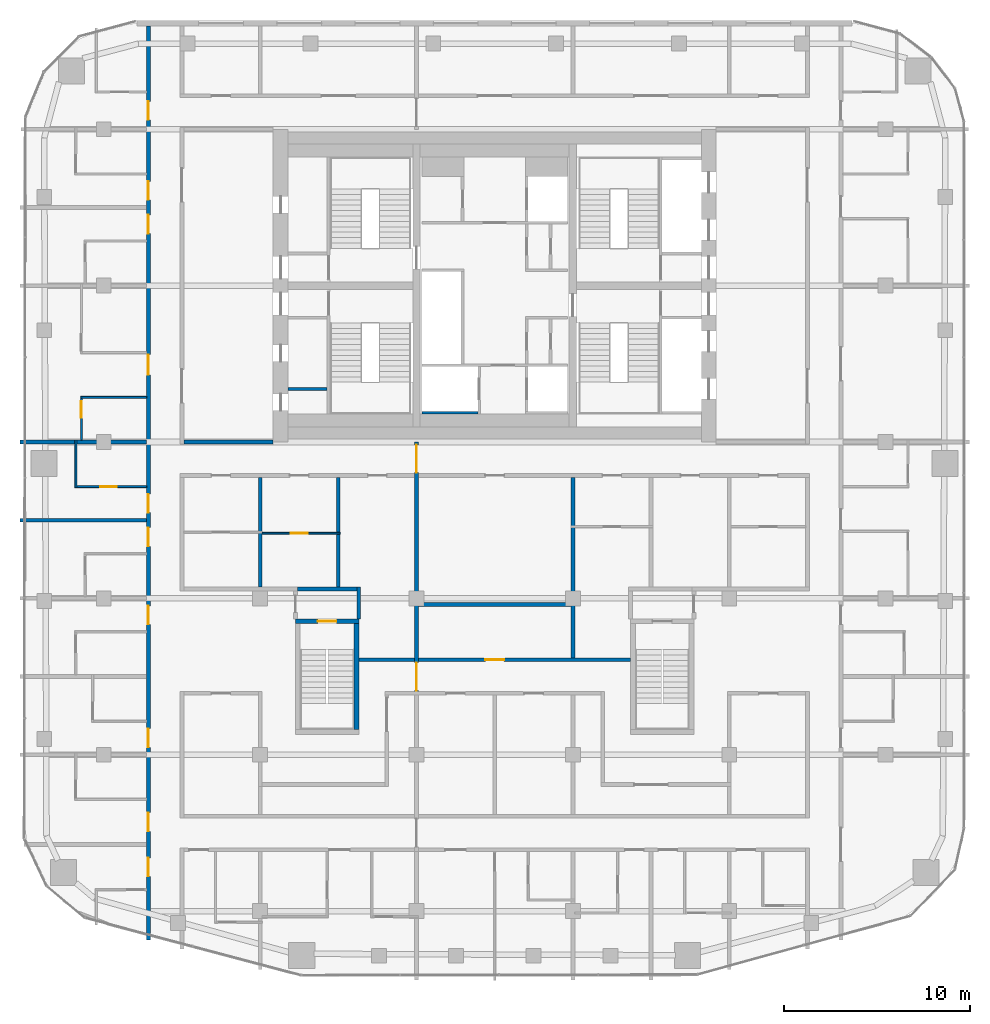
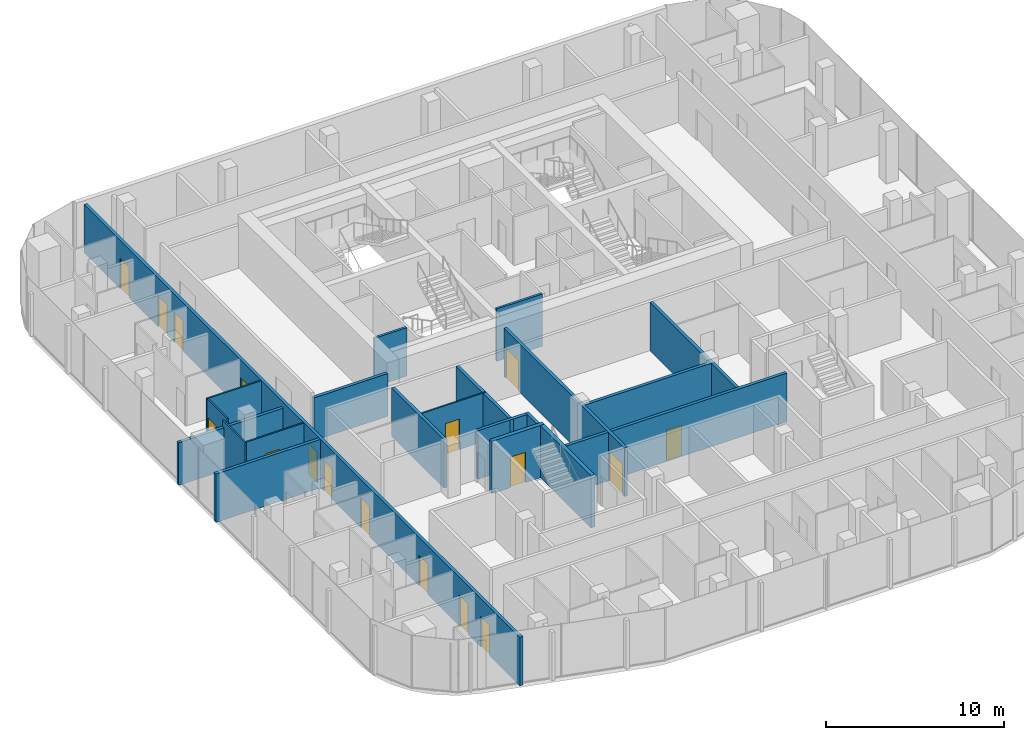
# One storey, part 15 of 22: 21 walls, 17 doors, 17 openings.
"""IFC4 building model written with IfcOpenShell, lengths in metres."""

from ifc_helpers import new_model, si_unit, direction, frame, frame_2d, origin, place, context, subcontext, project, spatial, rectangle, extrude, material, layer, layer_set, type_object, element, fill, save


model = new_model("IFC4")

# Units and contexts
model_context = context("Model", 3, precision=1e-05, world=origin(), true_north=direction((0.0, 1.0)))
body_context = subcontext(model_context, "Body", "Model", "MODEL_VIEW")
ifc_project = project(units=[si_unit("LENGTHUNIT", "METRE"), si_unit("AREAUNIT", "SQUARE_METRE"), si_unit("VOLUMEUNIT", "CUBIC_METRE"), si_unit("PLANEANGLEUNIT", "RADIAN"), si_unit("MASSUNIT", "GRAM", prefix="KILO")], contexts=[model_context])

# Site, building, storey
site_placement = place(None, origin())
site = spatial("IfcSite", under=ifc_project, at=site_placement, CompositionType="ELEMENT")
building_placement = place(site_placement, origin())
building = spatial("IfcBuilding", under=site, at=building_placement, Name="Marenta Gate Hotel Tower", CompositionType="ELEMENT")
storey_placement = place(building_placement, frame((0.0, 0.0, 223.699951171875)))
storey = spatial("IfcBuildingStorey", under=building, at=storey_placement, Name="L52", CompositionType="ELEMENT", Elevation=223.699951171875)

# Wall, openings, doors
ifc_material_1 = material(Name="Concrete blockwork", Category="masonry")
ifc_layer_1 = layer(ifc_material_1, 0.199951171875)
ifc_layer_set_1 = layer_set([ifc_layer_1], Name="Concrete blockwork")
wall_type_1 = type_object("IfcWallType", Name="Compartment wall 200 REI 180", PredefinedType="PARTITIONING", material=ifc_layer_set_1)
wall_1_placement = place(storey_placement, frame((-4.199951171875, -13.60009765625, 0.0), z_axis=(0.0, 0.0, 1.0), x_axis=(0.0, 1.0, 0.0)))
wall_1 = element("IfcWall", 1, at=wall_1_placement, inside=storey, type_object=wall_type_1, Name="L52-PTN-W082", PredefinedType="PARTITIONING", context=body_context, shape_type="SweptSolid", body=[
    extrude(rectangle(XDim=13.60009765625, YDim=0.199951171875, at=frame_2d((6.800048828125, 0.0))), origin(), (0.0, 0.0, 1.0), 3.340087890625),
])
opening_1_placement = place(wall_1_placement, frame((11.949951171875, 0.0, 0.0)))
opening_1 = element("IfcOpeningElement", 2, at=opening_1_placement, cuts=wall_1, Name="Opening G19-FD2", PredefinedType="OPENING", context=body_context, shape_type="SweptSolid", body=[
    extrude(rectangle(XDim=1.5, YDim=2.10009765625, at=frame_2d((0.75, 1.050048828125))), frame((0.0, 0.10009765625, 0.0), z_axis=(0.0, -1.0, 0.0), x_axis=(1.0, 0.0, 0.0)), (0.0, 0.0, 1.0), 0.199951171875),
])
opening_2_placement = place(wall_1_placement, frame((0.25, 0.0, 0.0)))
opening_2 = element("IfcOpeningElement", 3, at=opening_2_placement, cuts=wall_1, Name="Opening G19-FD3", PredefinedType="OPENING", context=body_context, shape_type="SweptSolid", body=[
    extrude(rectangle(XDim=1.5, YDim=2.10009765625, at=frame_2d((0.75, 1.050048828125))), frame((0.0, 0.10009765625, 0.0), z_axis=(0.0, -1.0, 0.0), x_axis=(1.0, 0.0, 0.0)), (0.0, 0.0, 1.0), 0.199951171875),
])
ifc_material_2 = material(Name="Hollow steel door set", Category="steel")
door_type_1 = type_object("IfcDoorType", Name="Compartment fire door 1500x2100 EI 60", OperationType="DOUBLE_DOOR_DOUBLE_SWING", PredefinedType="DOOR", material=ifc_material_2)
door_1_placement = place(opening_1_placement, origin())
door_1 = element("IfcDoor", 4, at=door_1_placement, inside=storey, type_object=door_type_1, Name="L52-PD-FD02", OperationType="DOUBLE_DOOR_DOUBLE_SWING", OverallHeight=2.10009765625, OverallWidth=1.5, PredefinedType="DOOR", context=body_context, shape_type="SweptSolid", body=[
    extrude(rectangle(XDim=1.5, YDim=2.10009765625, at=frame_2d((0.75, 1.050048828125))), frame((0.0, 0.02490234375, 0.0), z_axis=(0.0, -1.0, 0.0), x_axis=(1.0, 0.0, 0.0)), (0.0, 0.0, 1.0), 0.050048828125),
])
fill(opening_1, door_1)
door_2_placement = place(opening_2_placement, origin())
door_2 = element("IfcDoor", 5, at=door_2_placement, inside=storey, type_object=door_type_1, Name="L52-PD-FD03", OperationType="DOUBLE_DOOR_DOUBLE_SWING", OverallHeight=2.10009765625, OverallWidth=1.5, PredefinedType="DOOR", context=body_context, shape_type="SweptSolid", body=[
    extrude(rectangle(XDim=1.5, YDim=2.10009765625, at=frame_2d((0.75, 1.050048828125))), frame((0.0, 0.02490234375, 0.0), z_axis=(0.0, -1.0, 0.0), x_axis=(1.0, 0.0, 0.0)), (0.0, 0.0, 1.0), 0.050048828125),
])
fill(opening_2, door_2)

# Walls
ifc_material_3 = material(Name="Concrete blockwork", Category="masonry")
ifc_layer_2 = layer(ifc_material_3, 0.199951171875)
ifc_layer_set_2 = layer_set([ifc_layer_2], Name="Concrete blockwork")
wall_type_2 = type_object("IfcWallType", Name="Core boundary wall 200 REI 180", PredefinedType="PARTITIONING", material=ifc_layer_set_2)
wall_2_placement = place(storey_placement, frame((-16.699951171875, 0.0, 0.0), z_axis=(0.0, 0.0, 1.0), x_axis=(1.0, 0.0, 0.0)))
element("IfcWall", 6, at=wall_2_placement, inside=storey, type_object=wall_type_2, Name="L52-CP-EW-WS", PredefinedType="PARTITIONING", context=body_context, shape_type="SweptSolid", body=[
    extrude(rectangle(XDim=4.800048828125, YDim=0.199951171875, at=frame_2d((2.39990234375, 0.0))), origin(), (0.0, 0.0, 1.0), 2.93994140625),
])
ifc_material_4 = material(Name="Concrete blockwork", Category="masonry")
ifc_layer_3 = layer(ifc_material_4, 0.14990234375)
ifc_layer_set_3 = layer_set([ifc_layer_3], Name="Concrete blockwork")
wall_type_3 = type_object("IfcWallType", Name="Core room partition 150 REI 180", PredefinedType="PARTITIONING", material=ifc_layer_set_3)
wall_3_placement = place(storey_placement, frame((-11.10009765625, 2.85009765625, 0.0), z_axis=(0.0, 0.0, 1.0), x_axis=(1.0, 0.0, 0.0)))
element("IfcWall", 7, at=wall_3_placement, inside=storey, type_object=wall_type_3, Name="L52-CP-RW-WS-1", PredefinedType="PARTITIONING", context=body_context, shape_type="SweptSolid", body=[
    extrude(rectangle(XDim=2.10009765625, YDim=0.14990234375, at=frame_2d((1.050048828125, 0.0))), origin(), (0.0, 0.0, 1.0), 3.340087890625),
])
ifc_material_5 = material(Name="Concrete C40", Category="concrete")
ifc_layer_4 = layer(ifc_material_5, 0.14990234375)
ifc_layer_set_4 = layer_set([ifc_layer_4], Name="Concrete C40")
wall_type_4 = type_object("IfcWallType", Name="Core shaft wall 150 REI 180", PredefinedType="SHEAR", material=ifc_layer_set_4)
wall_4_placement = place(storey_placement, frame((-3.89990234375, 1.574951171875, 0.0), z_axis=(0.0, 0.0, 1.0), x_axis=(1.0, 0.0, 0.0)))
element("IfcWall", 8, at=wall_4_placement, inside=storey, type_object=wall_type_4, Name="L52-SHF-CW-W-ffs", PredefinedType="SHEAR", context=body_context, shape_type="SweptSolid", body=[
    extrude(rectangle(XDim=3.0, YDim=0.14990234375, at=frame_2d((1.5, 0.0))), origin(), (0.0, 0.0, 1.0), 3.60009765625),
])

# Wall, opening, door
ifc_material_6 = material(Name="Concrete C40", Category="concrete")
ifc_layer_5 = layer(ifc_material_6, 0.25)
ifc_layer_set_5 = layer_set([ifc_layer_5], Name="Concrete C40")
wall_type_5 = type_object("IfcWallType", Name="Remote stair enclosure wall 250 REI 180", PredefinedType="SHEAR", material=ifc_layer_set_5)
wall_5_placement = place(storey_placement, frame((-10.699951171875, -9.625, 0.10009765625), z_axis=(0.0, 0.0, 1.0), x_axis=(1.0, 0.0, 0.0)))
wall_5 = element("IfcWall", 9, at=wall_5_placement, inside=storey, type_object=wall_type_5, Name="L52-RS-Z3-1-W2", PredefinedType="SHEAR", context=body_context, shape_type="SweptSolid", body=[
    extrude(rectangle(XDim=3.39990234375, YDim=0.25, at=frame_2d((1.699951171875, 0.0))), origin(), (0.0, 0.0, 1.0), 3.599853515625),
])
opening_3_placement = place(wall_5_placement, frame((1.199951171875, 0.0, 0.0)))
opening_3 = element("IfcOpeningElement", 10, at=opening_3_placement, cuts=wall_5, Name="Opening VD", PredefinedType="OPENING", context=body_context, shape_type="SweptSolid", body=[
    extrude(rectangle(XDim=1.0, YDim=2.10009765625, at=frame_2d((0.5, 1.050048828125))), frame((0.0, 0.125, 0.0), z_axis=(0.0, -1.0, 0.0), x_axis=(1.0, 0.0, 0.0)), (0.0, 0.0, 1.0), 0.25),
])
ifc_material_7 = material(Name="Steel", Category="steel")
door_type_2 = type_object("IfcDoorType", Name="Stair vestibule door 1000x2100 FD60", OperationType="SINGLE_SWING_LEFT", PredefinedType="DOOR", material=ifc_material_7)
door_3_placement = place(opening_3_placement, origin())
door_3 = element("IfcDoor", 11, at=door_3_placement, inside=storey, type_object=door_type_2, Name="VD", OperationType="SINGLE_SWING_LEFT", OverallHeight=2.10009765625, OverallWidth=1.0, PredefinedType="DOOR", context=body_context, shape_type="SweptSolid", body=[
    extrude(rectangle(XDim=1.0, YDim=2.10009765625, at=frame_2d((0.5, 1.050048828125))), frame((0.0, 0.02490234375, 0.0), z_axis=(0.0, -1.0, 0.0), x_axis=(1.0, 0.0, 0.0)), (0.0, 0.0, 1.0), 0.050048828125),
])
fill(opening_3, door_3)

# Wall
wall_6_placement = place(storey_placement, frame((-7.425048828125, -15.449951171875, 0.10009765625), z_axis=(0.0, 0.0, 1.0), x_axis=(0.0, 1.0, 0.0)))
element("IfcWall", 12, at=wall_6_placement, inside=storey, type_object=wall_type_5, Name="L52-RS-Z3-1-W4", PredefinedType="SHEAR", context=body_context, shape_type="SweptSolid", body=[
    extrude(rectangle(XDim=5.699951171875, YDim=0.25, at=frame_2d((2.85009765625, 0.0))), origin(), (0.0, 0.0, 1.0), 3.599853515625),
])

# Wall, opening, door
ifc_material_8 = material(Name="Concrete blockwork", Category="masonry")
ifc_layer_6 = layer(ifc_material_8, 0.199951171875)
ifc_layer_set_6 = layer_set([ifc_layer_6], Name="Concrete blockwork")
wall_type_6 = type_object("IfcWallType", Name="Room corridor wall 200 EI 120", PredefinedType="PARTITIONING", material=ifc_layer_set_6)
wall_7_placement = place(storey_placement, frame((-7.300048828125, -11.699951171875, 0.0), z_axis=(0.0, 0.0, 1.0), x_axis=(1.0, 0.0, 0.0)))
wall_7 = element("IfcWall", 13, at=wall_7_placement, inside=storey, type_object=wall_type_6, Name="L52-PTN-W043", PredefinedType="PARTITIONING", context=body_context, shape_type="SweptSolid", body=[
    extrude(rectangle(XDim=14.60009765625, YDim=0.199951171875, at=frame_2d((7.300048828125, 0.0))), origin(), (0.0, 0.0, 1.0), 3.340087890625),
])
opening_4_placement = place(wall_7_placement, frame((6.800048828125, 0.0, 0.0)))
opening_4 = element("IfcOpeningElement", 14, at=opening_4_placement, cuts=wall_7, Name="Opening G19-73", PredefinedType="OPENING", context=body_context, shape_type="SweptSolid", body=[
    extrude(rectangle(XDim=1.0, YDim=2.10009765625, at=frame_2d((0.5, 1.050048828125))), frame((0.0, 0.10009765625, 0.0), z_axis=(0.0, -1.0, 0.0), x_axis=(1.0, 0.0, 0.0)), (0.0, 0.0, 1.0), 0.199951171875),
])
ifc_material_9 = material(Name="Timber door leaf", Category="wood")
door_type_3 = type_object("IfcDoorType", Name="Room amenity door 1000x2100 EI 60", OperationType="NOTDEFINED", PredefinedType="DOOR", material=ifc_material_9)
door_4_placement = place(opening_4_placement, origin())
door_4 = element("IfcDoor", 15, at=door_4_placement, inside=storey, type_object=door_type_3, Name="L52-PD-D073", OperationType="SINGLE_SWING_LEFT", OverallHeight=2.10009765625, OverallWidth=1.0, PredefinedType="DOOR", context=body_context, shape_type="SweptSolid", body=[
    extrude(rectangle(XDim=1.0, YDim=2.10009765625, at=frame_2d((0.5, 1.050048828125))), frame((0.0, 0.02490234375, 0.0), z_axis=(0.0, -1.0, 0.0), x_axis=(1.0, 0.0, 0.0)), (0.0, 0.0, 1.0), 0.050048828125),
])
fill(opening_4, door_4)

# Wall, openings, doors
ifc_material_10 = material(Name="Gypsum board on steel stud", Category="steel")
ifc_layer_7 = layer(ifc_material_10, 0.199951171875)
ifc_layer_set_7 = layer_set([ifc_layer_7], Name="Gypsum board on steel stud")
wall_type_7 = type_object("IfcWallType", Name="Room corridor wall 200 EI 60", PredefinedType="PARTITIONING", material=ifc_layer_set_7)
wall_8_placement = place(storey_placement, frame((-18.60009765625, -26.7509765625, 0.0), z_axis=(0.0, 0.0, 1.0), x_axis=(0.0, 1.0, 0.0)))
wall_8 = element("IfcWall", 16, at=wall_8_placement, inside=storey, type_object=wall_type_7, Name="L52-PTN-W110", PredefinedType="PARTITIONING", context=body_context, shape_type="SweptSolid", body=[
    extrude(rectangle(XDim=49.091064453125, YDim=0.199951171875, at=frame_2d((24.54541015625, 0.0))), origin(), (0.0, 0.0, 1.0), 3.340087890625),
])
opening_5_placement = place(wall_8_placement, frame((3.4130859375, 0.0, 0.0)))
opening_5 = element("IfcOpeningElement", 17, at=opening_5_placement, cuts=wall_8, Name="Opening G19-50", PredefinedType="OPENING", context=body_context, shape_type="SweptSolid", body=[
    extrude(rectangle(XDim=1.0, YDim=2.10009765625, at=frame_2d((0.5, 1.050048828125))), frame((0.0, 0.10009765625, 0.0), z_axis=(0.0, -1.0, 0.0), x_axis=(1.0, 0.0, 0.0)), (0.0, 0.0, 1.0), 0.199951171875),
])
opening_6_placement = place(wall_8_placement, frame((5.837890625, 0.0, 0.0)))
opening_6 = element("IfcOpeningElement", 18, at=opening_6_placement, cuts=wall_8, Name="Opening G19-52", PredefinedType="OPENING", context=body_context, shape_type="SweptSolid", body=[
    extrude(rectangle(XDim=1.0, YDim=2.10009765625, at=frame_2d((0.5, 1.050048828125))), frame((0.0, 0.10009765625, 0.0), z_axis=(0.0, -1.0, 0.0), x_axis=(1.0, 0.0, 0.0)), (0.0, 0.0, 1.0), 0.199951171875),
])
opening_7_placement = place(wall_8_placement, frame((10.35107421875, 0.0, 0.0)))
opening_7 = element("IfcOpeningElement", 19, at=opening_7_placement, cuts=wall_8, Name="Opening G19-54", PredefinedType="OPENING", context=body_context, shape_type="SweptSolid", body=[
    extrude(rectangle(XDim=1.0, YDim=2.10009765625, at=frame_2d((0.5, 1.050048828125))), frame((0.0, 0.10009765625, 0.0), z_axis=(0.0, -1.0, 0.0), x_axis=(1.0, 0.0, 0.0)), (0.0, 0.0, 1.0), 0.199951171875),
])
opening_8_placement = place(wall_8_placement, frame((16.950927734375, 0.0, 0.0)))
opening_8 = element("IfcOpeningElement", 20, at=opening_8_placement, cuts=wall_8, Name="Opening G19-56", PredefinedType="OPENING", context=body_context, shape_type="SweptSolid", body=[
    extrude(rectangle(XDim=1.0, YDim=2.10009765625, at=frame_2d((0.5, 1.050048828125))), frame((0.0, 0.10009765625, 0.0), z_axis=(0.0, -1.0, 0.0), x_axis=(1.0, 0.0, 0.0)), (0.0, 0.0, 1.0), 0.199951171875),
])
opening_9_placement = place(wall_8_placement, frame((21.15087890625, 0.0, 0.0)))
opening_9 = element("IfcOpeningElement", 21, at=opening_9_placement, cuts=wall_8, Name="Opening G19-58", PredefinedType="OPENING", context=body_context, shape_type="SweptSolid", body=[
    extrude(rectangle(XDim=1.0, YDim=2.10009765625, at=frame_2d((0.5, 1.050048828125))), frame((0.0, 0.10009765625, 0.0), z_axis=(0.0, -1.0, 0.0), x_axis=(1.0, 0.0, 0.0)), (0.0, 0.0, 1.0), 0.199951171875),
])
opening_10_placement = place(wall_8_placement, frame((22.950927734375, 0.0, 0.0)))
opening_10 = element("IfcOpeningElement", 22, at=opening_10_placement, cuts=wall_8, Name="Opening G19-60", PredefinedType="OPENING", context=body_context, shape_type="SweptSolid", body=[
    extrude(rectangle(XDim=1.0, YDim=2.10009765625, at=frame_2d((0.5, 1.050048828125))), frame((0.0, 0.10009765625, 0.0), z_axis=(0.0, -1.0, 0.0), x_axis=(1.0, 0.0, 0.0)), (0.0, 0.0, 1.0), 0.199951171875),
])
opening_11_placement = place(wall_8_placement, frame((30.35107421875, 0.0, 0.0)))
opening_11 = element("IfcOpeningElement", 23, at=opening_11_placement, cuts=wall_8, Name="Opening G19-62", PredefinedType="OPENING", context=body_context, shape_type="SweptSolid", body=[
    extrude(rectangle(XDim=1.10009765625, YDim=2.10009765625, at=frame_2d((0.550048828125, 1.050048828125))), frame((0.0, 0.10009765625, 0.0), z_axis=(0.0, -1.0, 0.0), x_axis=(1.0, 0.0, 0.0)), (0.0, 0.0, 1.0), 0.199951171875),
])
opening_12_placement = place(wall_8_placement, frame((37.950927734375, 0.0, 0.0)))
opening_12 = element("IfcOpeningElement", 24, at=opening_12_placement, cuts=wall_8, Name="Opening G19-65", PredefinedType="OPENING", context=body_context, shape_type="SweptSolid", body=[
    extrude(rectangle(XDim=1.0, YDim=2.10009765625, at=frame_2d((0.5, 1.050048828125))), frame((0.0, 0.10009765625, 0.0), z_axis=(0.0, -1.0, 0.0), x_axis=(1.0, 0.0, 0.0)), (0.0, 0.0, 1.0), 0.199951171875),
])
opening_13_placement = place(wall_8_placement, frame((39.7509765625, 0.0, 0.0)))
opening_13 = element("IfcOpeningElement", 25, at=opening_13_placement, cuts=wall_8, Name="Opening G19-67", PredefinedType="OPENING", context=body_context, shape_type="SweptSolid", body=[
    extrude(rectangle(XDim=1.0, YDim=2.10009765625, at=frame_2d((0.5, 1.050048828125))), frame((0.0, 0.10009765625, 0.0), z_axis=(0.0, -1.0, 0.0), x_axis=(1.0, 0.0, 0.0)), (0.0, 0.0, 1.0), 0.199951171875),
])
opening_14_placement = place(wall_8_placement, frame((44.051025390625, 0.0, 0.0)))
opening_14 = element("IfcOpeningElement", 26, at=opening_14_placement, cuts=wall_8, Name="Opening G19-69", PredefinedType="OPENING", context=body_context, shape_type="SweptSolid", body=[
    extrude(rectangle(XDim=1.0, YDim=2.10009765625, at=frame_2d((0.5, 1.050048828125))), frame((0.0, 0.10009765625, 0.0), z_axis=(0.0, -1.0, 0.0), x_axis=(1.0, 0.0, 0.0)), (0.0, 0.0, 1.0), 0.199951171875),
])
ifc_material_11 = material(Name="Timber door leaf", Category="wood")
door_type_4 = type_object("IfcDoorType", Name="Guest room door 1000x2100 EI 30", OperationType="NOTDEFINED", PredefinedType="DOOR", material=ifc_material_11)
door_5_placement = place(opening_5_placement, origin())
door_5 = element("IfcDoor", 27, at=door_5_placement, inside=storey, type_object=door_type_4, Name="L52-PD-D050", OperationType="SINGLE_SWING_LEFT", OverallHeight=2.10009765625, OverallWidth=1.0, PredefinedType="DOOR", context=body_context, shape_type="SweptSolid", body=[
    extrude(rectangle(XDim=1.0, YDim=2.10009765625, at=frame_2d((0.5, 1.050048828125))), frame((0.0, 0.02490234375, 0.0), z_axis=(0.0, -1.0, 0.0), x_axis=(1.0, 0.0, 0.0)), (0.0, 0.0, 1.0), 0.050048828125),
])
fill(opening_5, door_5)
door_6_placement = place(opening_6_placement, origin())
door_6 = element("IfcDoor", 28, at=door_6_placement, inside=storey, type_object=door_type_4, Name="L52-PD-D052", OperationType="SINGLE_SWING_LEFT", OverallHeight=2.10009765625, OverallWidth=1.0, PredefinedType="DOOR", context=body_context, shape_type="SweptSolid", body=[
    extrude(rectangle(XDim=1.0, YDim=2.10009765625, at=frame_2d((0.5, 1.050048828125))), frame((0.0, 0.02490234375, 0.0), z_axis=(0.0, -1.0, 0.0), x_axis=(1.0, 0.0, 0.0)), (0.0, 0.0, 1.0), 0.050048828125),
])
fill(opening_6, door_6)
door_7_placement = place(opening_7_placement, origin())
door_7 = element("IfcDoor", 29, at=door_7_placement, inside=storey, type_object=door_type_4, Name="L52-PD-D054", OperationType="SINGLE_SWING_LEFT", OverallHeight=2.10009765625, OverallWidth=1.0, PredefinedType="DOOR", context=body_context, shape_type="SweptSolid", body=[
    extrude(rectangle(XDim=1.0, YDim=2.10009765625, at=frame_2d((0.5, 1.050048828125))), frame((0.0, 0.02490234375, 0.0), z_axis=(0.0, -1.0, 0.0), x_axis=(1.0, 0.0, 0.0)), (0.0, 0.0, 1.0), 0.050048828125),
])
fill(opening_7, door_7)
door_8_placement = place(opening_8_placement, origin())
door_8 = element("IfcDoor", 30, at=door_8_placement, inside=storey, type_object=door_type_4, Name="L52-PD-D056", OperationType="SINGLE_SWING_LEFT", OverallHeight=2.10009765625, OverallWidth=1.0, PredefinedType="DOOR", context=body_context, shape_type="SweptSolid", body=[
    extrude(rectangle(XDim=1.0, YDim=2.10009765625, at=frame_2d((0.5, 1.050048828125))), frame((0.0, 0.02490234375, 0.0), z_axis=(0.0, -1.0, 0.0), x_axis=(1.0, 0.0, 0.0)), (0.0, 0.0, 1.0), 0.050048828125),
])
fill(opening_8, door_8)
door_9_placement = place(opening_9_placement, origin())
door_9 = element("IfcDoor", 31, at=door_9_placement, inside=storey, type_object=door_type_4, Name="L52-PD-D058", OperationType="SINGLE_SWING_LEFT", OverallHeight=2.10009765625, OverallWidth=1.0, PredefinedType="DOOR", context=body_context, shape_type="SweptSolid", body=[
    extrude(rectangle(XDim=1.0, YDim=2.10009765625, at=frame_2d((0.5, 1.050048828125))), frame((0.0, 0.02490234375, 0.0), z_axis=(0.0, -1.0, 0.0), x_axis=(1.0, 0.0, 0.0)), (0.0, 0.0, 1.0), 0.050048828125),
])
fill(opening_9, door_9)
door_10_placement = place(opening_10_placement, origin())
door_10 = element("IfcDoor", 32, at=door_10_placement, inside=storey, type_object=door_type_4, Name="L52-PD-D060", OperationType="SINGLE_SWING_LEFT", OverallHeight=2.10009765625, OverallWidth=1.0, PredefinedType="DOOR", context=body_context, shape_type="SweptSolid", body=[
    extrude(rectangle(XDim=1.0, YDim=2.10009765625, at=frame_2d((0.5, 1.050048828125))), frame((0.0, 0.02490234375, 0.0), z_axis=(0.0, -1.0, 0.0), x_axis=(1.0, 0.0, 0.0)), (0.0, 0.0, 1.0), 0.050048828125),
])
fill(opening_10, door_10)
door_11_placement = place(opening_12_placement, origin())
door_11 = element("IfcDoor", 33, at=door_11_placement, inside=storey, type_object=door_type_4, Name="L52-PD-D065", OperationType="SINGLE_SWING_RIGHT", OverallHeight=2.10009765625, OverallWidth=1.0, PredefinedType="DOOR", context=body_context, shape_type="SweptSolid", body=[
    extrude(rectangle(XDim=1.0, YDim=2.10009765625, at=frame_2d((0.5, 1.050048828125))), frame((0.0, 0.02490234375, 0.0), z_axis=(0.0, -1.0, 0.0), x_axis=(1.0, 0.0, 0.0)), (0.0, 0.0, 1.0), 0.050048828125),
])
fill(opening_12, door_11)
door_12_placement = place(opening_13_placement, origin())
door_12 = element("IfcDoor", 34, at=door_12_placement, inside=storey, type_object=door_type_4, Name="L52-PD-D067", OperationType="SINGLE_SWING_RIGHT", OverallHeight=2.10009765625, OverallWidth=1.0, PredefinedType="DOOR", context=body_context, shape_type="SweptSolid", body=[
    extrude(rectangle(XDim=1.0, YDim=2.10009765625, at=frame_2d((0.5, 1.050048828125))), frame((0.0, 0.02490234375, 0.0), z_axis=(0.0, -1.0, 0.0), x_axis=(1.0, 0.0, 0.0)), (0.0, 0.0, 1.0), 0.050048828125),
])
fill(opening_13, door_12)
door_13_placement = place(opening_14_placement, origin())
door_13 = element("IfcDoor", 35, at=door_13_placement, inside=storey, type_object=door_type_4, Name="L52-PD-D069", OperationType="SINGLE_SWING_RIGHT", OverallHeight=2.10009765625, OverallWidth=1.0, PredefinedType="DOOR", context=body_context, shape_type="SweptSolid", body=[
    extrude(rectangle(XDim=1.0, YDim=2.10009765625, at=frame_2d((0.5, 1.050048828125))), frame((0.0, 0.02490234375, 0.0), z_axis=(0.0, -1.0, 0.0), x_axis=(1.0, 0.0, 0.0)), (0.0, 0.0, 1.0), 0.050048828125),
])
fill(opening_14, door_13)
ifc_material_12 = material(Name="Timber door leaf", Category="wood")
door_type_5 = type_object("IfcDoorType", Name="Guest room door 1100x2100 EI 30", OperationType="NOTDEFINED", PredefinedType="DOOR", material=ifc_material_12)
door_14_placement = place(opening_11_placement, origin())
door_14 = element("IfcDoor", 36, at=door_14_placement, inside=storey, type_object=door_type_5, Name="L52-PD-D062", OperationType="SINGLE_SWING_RIGHT", OverallHeight=2.10009765625, OverallWidth=1.10009765625, PredefinedType="DOOR", context=body_context, shape_type="SweptSolid", body=[
    extrude(rectangle(XDim=1.10009765625, YDim=2.10009765625, at=frame_2d((0.550048828125, 1.050048828125))), frame((0.0, 0.02490234375, 0.0), z_axis=(0.0, -1.0, 0.0), x_axis=(1.0, 0.0, 0.0)), (0.0, 0.0, 1.0), 0.050048828125),
])
fill(opening_11, door_14)

# Wall, opening, door
ifc_material_13 = material(Name="Gypsum board on steel stud", Category="steel")
ifc_layer_8 = layer(ifc_material_13, 0.10009765625)
ifc_layer_set_8 = layer_set([ifc_layer_8], Name="Gypsum board on steel stud")
wall_type_8 = type_object("IfcWallType", Name="Room partition 100", PredefinedType="PARTITIONING", material=ifc_layer_set_8)
wall_9_placement = place(storey_placement, frame((-12.5, -4.89990234375, 0.0), z_axis=(0.0, 0.0, 1.0), x_axis=(1.0, 0.0, 0.0)))
wall_9 = element("IfcWall", 37, at=wall_9_placement, inside=storey, type_object=wall_type_8, Name="L52-PTN-W061", PredefinedType="PARTITIONING", context=body_context, shape_type="SweptSolid", body=[
    extrude(rectangle(XDim=4.199951171875, YDim=0.10009765625, at=frame_2d((2.10009765625, 0.0))), origin(), (0.0, 0.0, 1.0), 3.340087890625),
])
opening_15_placement = place(wall_9_placement, frame((1.550048828125, 0.0, 0.0)))
opening_15 = element("IfcOpeningElement", 38, at=opening_15_placement, cuts=wall_9, Name="Opening G19-04", PredefinedType="OPENING", context=body_context, shape_type="SweptSolid", body=[
    extrude(rectangle(XDim=0.89990234375, YDim=2.10009765625, at=frame_2d((0.449951171875, 1.050048828125))), frame((0.0, 0.050048828125, 0.0), z_axis=(0.0, -1.0, 0.0), x_axis=(1.0, 0.0, 0.0)), (0.0, 0.0, 1.0), 0.10009765625),
])
ifc_material_14 = material(Name="Timber door leaf", Category="wood")
door_type_6 = type_object("IfcDoorType", Name="Room inner door 900x2100", OperationType="NOTDEFINED", PredefinedType="DOOR", material=ifc_material_14)
door_15_placement = place(opening_15_placement, origin())
door_15 = element("IfcDoor", 39, at=door_15_placement, inside=storey, type_object=door_type_6, Name="L52-PD-D004", OperationType="SINGLE_SWING_RIGHT", OverallHeight=2.10009765625, OverallWidth=0.89990234375, PredefinedType="DOOR", context=body_context, shape_type="SweptSolid", body=[
    extrude(rectangle(XDim=0.89990234375, YDim=2.10009765625, at=frame_2d((0.449951171875, 1.050048828125))), frame((0.0, 0.02490234375, 0.0), z_axis=(0.0, -1.0, 0.0), x_axis=(1.0, 0.0, 0.0)), (0.0, 0.0, 1.0), 0.050048828125),
])
fill(opening_15, door_15)

wall_10_placement = place(storey_placement, frame((-22.449951171875, -2.39990234375, 0.0), z_axis=(0.0, 0.0, 1.0), x_axis=(1.0, 0.0, 0.0)))
wall_10 = element("IfcWall", 40, at=wall_10_placement, inside=storey, type_object=wall_type_8, Name="L52-PTN-W071", PredefinedType="PARTITIONING", context=body_context, shape_type="SweptSolid", body=[
    extrude(rectangle(XDim=3.75, YDim=0.10009765625, at=frame_2d((1.875, 0.0))), origin(), (0.0, 0.0, 1.0), 3.340087890625),
])
opening_16_placement = place(wall_10_placement, frame((1.2548828125, 0.0, 0.0)))
opening_16 = element("IfcOpeningElement", 41, at=opening_16_placement, cuts=wall_10, Name="Opening G19-61", PredefinedType="OPENING", context=body_context, shape_type="SweptSolid", body=[
    extrude(rectangle(XDim=0.89990234375, YDim=2.10009765625, at=frame_2d((0.449951171875, 1.050048828125))), frame((0.0, 0.050048828125, 0.0), z_axis=(0.0, -1.0, 0.0), x_axis=(1.0, 0.0, 0.0)), (0.0, 0.0, 1.0), 0.10009765625),
])
ifc_material_15 = material(Name="Timber door leaf", Category="wood")
door_type_7 = type_object("IfcDoorType", Name="Guest bathroom door 900x2100", OperationType="NOTDEFINED", PredefinedType="DOOR", material=ifc_material_15)
door_16_placement = place(opening_16_placement, origin())
door_16 = element("IfcDoor", 42, at=door_16_placement, inside=storey, type_object=door_type_7, Name="L52-PD-D061", OperationType="SINGLE_SWING_LEFT", OverallHeight=2.10009765625, OverallWidth=0.89990234375, PredefinedType="DOOR", context=body_context, shape_type="SweptSolid", body=[
    extrude(rectangle(XDim=0.89990234375, YDim=2.10009765625, at=frame_2d((0.449951171875, 1.050048828125))), frame((0.0, 0.02490234375, 0.0), z_axis=(0.0, -1.0, 0.0), x_axis=(1.0, 0.0, 0.0)), (0.0, 0.0, 1.0), 0.050048828125),
])
fill(opening_16, door_16)

# Wall
wall_11_placement = place(storey_placement, frame((-22.25, 2.39990234375, 0.0), z_axis=(0.0, 0.0, 1.0), x_axis=(1.0, 0.0, 0.0)))
element("IfcWall", 43, at=wall_11_placement, inside=storey, type_object=wall_type_8, Name="L52-PTN-W079", PredefinedType="PARTITIONING", context=body_context, shape_type="SweptSolid", body=[
    extrude(rectangle(XDim=3.550048828125, YDim=0.10009765625, at=frame_2d((1.77490234375, 0.0))), origin(), (0.0, 0.0, 1.0), 3.340087890625),
])

# Wall, opening, door
wall_12_placement = place(storey_placement, frame((-22.199951171875, 0.10009765625, 0.0), z_axis=(0.0, 0.0, 1.0), x_axis=(0.0, 1.0, 0.0)))
wall_12 = element("IfcWall", 44, at=wall_12_placement, inside=storey, type_object=wall_type_8, Name="L52-PTN-W119", PredefinedType="PARTITIONING", context=body_context, shape_type="SweptSolid", body=[
    extrude(rectangle(XDim=2.25, YDim=0.10009765625, at=frame_2d((1.125, 0.0))), origin(), (0.0, 0.0, 1.0), 3.340087890625),
])
opening_17_placement = place(wall_12_placement, frame((1.199951171875, 0.0, 0.0)))
opening_17 = element("IfcOpeningElement", 45, at=opening_17_placement, cuts=wall_12, Name="Opening G19-64", PredefinedType="OPENING", context=body_context, shape_type="SweptSolid", body=[
    extrude(rectangle(XDim=0.89990234375, YDim=2.10009765625, at=frame_2d((0.449951171875, 1.050048828125))), frame((0.0, 0.050048828125, 0.0), z_axis=(0.0, -1.0, 0.0), x_axis=(1.0, 0.0, 0.0)), (0.0, 0.0, 1.0), 0.10009765625),
])
door_17_placement = place(opening_17_placement, origin())
door_17 = element("IfcDoor", 46, at=door_17_placement, inside=storey, type_object=door_type_6, Name="L52-PD-D064", OperationType="SINGLE_SWING_LEFT", OverallHeight=2.10009765625, OverallWidth=0.89990234375, PredefinedType="DOOR", context=body_context, shape_type="SweptSolid", body=[
    extrude(rectangle(XDim=0.89990234375, YDim=2.10009765625, at=frame_2d((0.449951171875, 1.050048828125))), frame((0.0, 0.02490234375, 0.0), z_axis=(0.0, -1.0, 0.0), x_axis=(1.0, 0.0, 0.0)), (0.0, 0.0, 1.0), 0.050048828125),
])
fill(opening_17, door_17)

# Walls
wall_13_placement = place(storey_placement, frame((-22.5, -2.449951171875, 0.0), z_axis=(0.0, 0.0, 1.0), x_axis=(0.0, 1.0, 0.0)))
element("IfcWall", 47, at=wall_13_placement, inside=storey, type_object=wall_type_8, Name="L52-PTN-W123", PredefinedType="PARTITIONING", context=body_context, shape_type="SweptSolid", body=[
    extrude(rectangle(XDim=2.550048828125, YDim=0.10009765625, at=frame_2d((1.27490234375, 0.0))), origin(), (0.0, 0.0, 1.0), 3.340087890625),
])
ifc_material_16 = material(Name="Concrete blockwork", Category="masonry")
ifc_layer_9 = layer(ifc_material_16, 0.199951171875)
ifc_layer_set_9 = layer_set([ifc_layer_9], Name="Concrete blockwork")
wall_type_9 = type_object("IfcWallType", Name="Room party wall 200 EI 120", PredefinedType="PARTITIONING", material=ifc_layer_set_9)
wall_14_placement = place(storey_placement, frame((4.199951171875, -11.60009765625, 0.0), z_axis=(0.0, 0.0, 1.0), x_axis=(0.0, 1.0, 0.0)))
element("IfcWall", 48, at=wall_14_placement, inside=storey, type_object=wall_type_9, Name="L52-PTN-W068", PredefinedType="PARTITIONING", context=body_context, shape_type="SweptSolid", body=[
    extrude(rectangle(XDim=9.7001953125, YDim=0.199951171875, at=frame_2d((4.85009765625, 0.0))), origin(), (0.0, 0.0, 1.0), 3.340087890625),
])
wall_15_placement = place(storey_placement, frame((-8.39990234375, -8.0, 0.0), z_axis=(0.0, 0.0, 1.0), x_axis=(0.0, 1.0, 0.0)))
element("IfcWall", 49, at=wall_15_placement, inside=storey, type_object=wall_type_9, Name="L52-PTN-W088", PredefinedType="PARTITIONING", context=body_context, shape_type="SweptSolid", body=[
    extrude(rectangle(XDim=6.10009765625, YDim=0.199951171875, at=frame_2d((3.050048828125, 0.0))), origin(), (0.0, 0.0, 1.0), 3.340087890625),
])
wall_16_placement = place(storey_placement, frame((-12.60009765625, -7.800048828125, 0.0), z_axis=(0.0, 0.0, 1.0), x_axis=(0.0, 1.0, 0.0)))
element("IfcWall", 50, at=wall_16_placement, inside=storey, type_object=wall_type_9, Name="L52-PTN-W097", PredefinedType="PARTITIONING", context=body_context, shape_type="SweptSolid", body=[
    extrude(rectangle(XDim=5.900146484375, YDim=0.199951171875, at=frame_2d((2.9501953125, 0.0))), origin(), (0.0, 0.0, 1.0), 3.340087890625),
])
ifc_material_17 = material(Name="Gypsum board on steel stud", Category="steel")
ifc_layer_10 = layer(ifc_material_17, 0.199951171875)
ifc_layer_set_10 = layer_set([ifc_layer_10], Name="Gypsum board on steel stud")
wall_type_10 = type_object("IfcWallType", Name="Room party wall 200 EI 60", PredefinedType="PARTITIONING", material=ifc_layer_set_10)
wall_17_placement = place(storey_placement, frame((-4.10009765625, -8.72998046875, 0.0), z_axis=(0.0, 0.0, 1.0), x_axis=(1.0, 0.0, 0.0)))
element("IfcWall", 51, at=wall_17_placement, inside=storey, type_object=wall_type_10, Name="L52-PTN-W048", PredefinedType="PARTITIONING", context=body_context, shape_type="SweptSolid", body=[
    extrude(rectangle(XDim=8.2001953125, YDim=0.199951171875, at=frame_2d((4.10009765625, 0.0))), origin(), (0.0, 0.0, 1.0), 3.340087890625),
])
wall_18_placement = place(storey_placement, frame((-25.5, -4.199951171875, 0.0), z_axis=(0.0, 0.0, 1.0), x_axis=(1.0, 0.0, 0.0)))
element("IfcWall", 52, at=wall_18_placement, inside=storey, type_object=wall_type_10, Name="L52-PTN-W070", PredefinedType="PARTITIONING", context=body_context, shape_type="SweptSolid", body=[
    extrude(rectangle(XDim=6.800048828125, YDim=0.199951171875, at=frame_2d((3.39990234375, 0.0))), origin(), (0.0, 0.0, 1.0), 3.340087890625),
])
wall_19_placement = place(storey_placement, frame((-25.5, 0.0, 0.0), z_axis=(0.0, 0.0, 1.0), x_axis=(1.0, 0.0, 0.0)))
element("IfcWall", 53, at=wall_19_placement, inside=storey, type_object=wall_type_10, Name="L52-PTN-W077", PredefinedType="PARTITIONING", context=body_context, shape_type="SweptSolid", body=[
    extrude(rectangle(XDim=6.800048828125, YDim=0.199951171875, at=frame_2d((3.39990234375, 0.0))), origin(), (0.0, 0.0, 1.0), 2.93994140625),
])
ifc_material_18 = material(Name="Concrete blockwork", Category="masonry")
ifc_layer_11 = layer(ifc_material_18, 0.199951171875)
ifc_layer_set_11 = layer_set([ifc_layer_11], Name="Concrete blockwork")
wall_type_11 = type_object("IfcWallType", Name="Room party wall 200 REI 180", PredefinedType="PARTITIONING", material=ifc_layer_set_11)
wall_20_placement = place(storey_placement, frame((-10.60009765625, -7.89990234375, 0.0), z_axis=(0.0, 0.0, 1.0), x_axis=(1.0, 0.0, 0.0)))
element("IfcWall", 54, at=wall_20_placement, inside=storey, type_object=wall_type_11, Name="L52-PTN-W055", PredefinedType="PARTITIONING", context=body_context, shape_type="SweptSolid", body=[
    extrude(rectangle(XDim=3.2001953125, YDim=0.199951171875, at=frame_2d((1.60009765625, 0.0))), origin(), (0.0, 0.0, 1.0), 3.340087890625),
])
wall_21_placement = place(storey_placement, frame((-7.300048828125, -9.5, 0.0), z_axis=(0.0, 0.0, 1.0), x_axis=(0.0, 1.0, 0.0)))
element("IfcWall", 55, at=wall_21_placement, inside=storey, type_object=wall_type_11, Name="L52-PTN-W087", PredefinedType="PARTITIONING", context=body_context, shape_type="SweptSolid", body=[
    extrude(rectangle(XDim=1.699951171875, YDim=0.199951171875, at=frame_2d((0.85009765625, 0.0))), origin(), (0.0, 0.0, 1.0), 3.340087890625),
])

save(model, "model.ifc")
